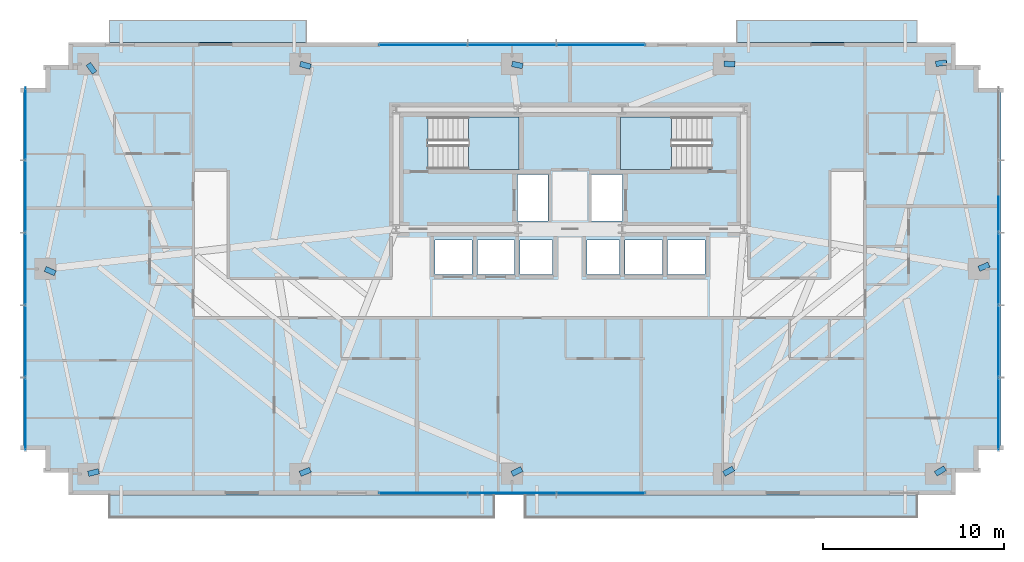
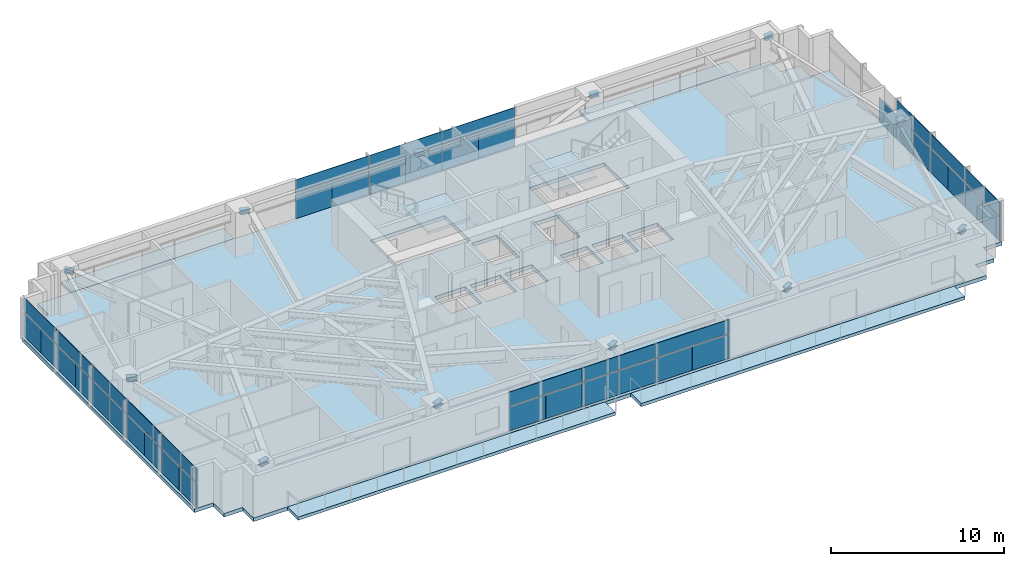
# One storey, part 18 of 25: 43 plates, 12 beams, 7 slabs, 6 elements without a shape of their own.
"""IFC4 building model written with IfcOpenShell, lengths in metres."""

from ifc_helpers import new_model, si_unit, direction, frame, origin, origin_2d, place, context, subcontext, project, spatial, polyline, rectangle, i_section, outline, extrude, source, transform, mapped, material, layer, layer_set, material_profile, profile_set, type_object, type_shapes, element, aggregate, save


model = new_model("IFC4")

# Units and contexts
model_context = context("Model", 3, precision=1e-05, world=origin(), true_north=direction((0.0, 1.0)))
body_context = subcontext(model_context, "Body", "Model", "MODEL_VIEW")
ifc_project = project(units=[si_unit("LENGTHUNIT", "METRE"), si_unit("AREAUNIT", "SQUARE_METRE"), si_unit("VOLUMEUNIT", "CUBIC_METRE"), si_unit("PLANEANGLEUNIT", "RADIAN"), si_unit("MASSUNIT", "GRAM", prefix="KILO")], contexts=[model_context])

# Site, building, storey
site_placement = place(None, origin())
site = spatial("IfcSite", under=ifc_project, at=site_placement, CompositionType="ELEMENT")
building_placement = place(site_placement, origin())
building = spatial("IfcBuilding", under=site, at=building_placement, Name="Astriad Promenade Condominiums", CompositionType="ELEMENT")
storey_placement = place(building_placement, frame((0.0, 0.0, 64.60009765625)))
storey = spatial("IfcBuildingStorey", under=building, at=storey_placement, Name="L18", CompositionType="ELEMENT", Elevation=64.60009765625)

# Beams
ifc_material_1 = material(Name="Steel ASTM A992 Grade 50", Category="steel")
ifc_material_profile = material_profile(ifc_material_1, i_section(OverallWidth=0.3046875, OverallDepth=0.307861328125, WebThickness=0.010009765625, FlangeThickness=0.015380859375, FilletRadius=0.01513671875, at=origin_2d()), Name="W12X65")
ifc_profile_set = profile_set([ifc_material_profile], Name="Steel ASTM A992 Grade 50")
beam_type = type_object("IfcBeamType", Name="STEEL TRANSFER SPLICE HEADER W12X65", PredefinedType="LINTEL", material=ifc_profile_set)
shared_shape_1 = source(origin(), body_context, "Body", "SweptSolid", [
    extrude(i_section(OverallWidth=0.3046875, OverallDepth=0.307861328125, WebThickness=0.010009765625, FlangeThickness=0.015380859375, FilletRadius=0.01513671875, at=origin_2d()), origin(), (0.0, 0.0, 1.0), 0.6015625),
])
for number, where, z_axis, x_axis, name in (
    (1, (9.39990234375, 3.8798828125, 2.74609375), (0.970712710655, 0.24024327956, 0.0), (-0.24024327956, 0.970712710655, 0.0), "Column Transfer Splice Header SPL-PC01-L18"),
    (2, (44.5, 3.8798828125, 2.74609375), (0.868567654377, 0.495570610277, 0.0), (-0.495570610277, 0.868567654377, 0.0), "Column Transfer Splice Header SPL-PC04-L18"),
    (3, (56.199951171875, 3.8798828125, 2.74609375), (0.849771811135, 0.527150708053, 0.0), (-0.527150708053, 0.849771811135, 0.0), "Column Transfer Splice Header SPL-PC05-L18"),
    (4, (9.39990234375, 26.52001953125, 2.74609375), (0.588051038276, -0.808823822833, 0.0), (0.808823822833, 0.588051038276, 0.0), "Column Transfer Splice Header SPL-PC06-L18"),
    (5, (32.800048828125, 26.52001953125, 2.74609375), (0.979696819425, -0.200484767521, 0.0), (0.200484767521, 0.979696819425, 0.0), "Column Transfer Splice Header SPL-PC08-L18"),
    (6, (44.5, 26.52001953125, 2.74609375), (0.999641164632, -0.026786973961, 0.0), (0.026786973961, 0.999641164632, 0.0), "Column Transfer Splice Header SPL-PC09-L18"),
    (7, (56.199951171875, 26.52001953125, 2.74609375), (0.991634328472, 0.129078885163, 0.0), (-0.129078885163, 0.991634328472, 0.0), "Column Transfer Splice Header SPL-PC10-L18"),
    (8, (7.02001953125, 15.199951171875, 2.74609375), (0.915560212272, -0.402180926579, 0.0), (0.402180926579, 0.915560212272, 0.0), "Column Transfer Splice Header SPL-PC11-L18"),
):
    element("IfcBeam", number, at=place(storey_placement, frame(where, z_axis=z_axis, x_axis=x_axis)), inside=storey, type_object=beam_type, Name=name, PredefinedType="LINTEL", context=body_context, shape_type="MappedRepresentation", body=[
        mapped(shared_shape_1, transform((0.0, 0.0, 0.0), scale=1.0)),
    ])
shared_shape_2 = source(origin(), body_context, "Body", "SweptSolid", [
    extrude(i_section(OverallWidth=0.3046875, OverallDepth=0.307861328125, WebThickness=0.010009765625, FlangeThickness=0.015380859375, FilletRadius=0.01513671875, at=origin_2d()), origin(), (0.0, 0.0, 1.0), 0.601318359375),
])
type_shapes(beam_type, [shared_shape_1, shared_shape_2])
for number, where, z_axis, x_axis, name in (
    (9, (21.10009765625, 3.8798828125, 2.74609375), (0.927155075132, 0.37467781714, 0.0), (-0.37467781714, 0.927155075132, 0.0), "Column Transfer Splice Header SPL-PC02-L18"),
    (10, (32.800048828125, 3.8798828125, 2.74609375), (0.893532281029, 0.448998956301, 0.0), (-0.448998956301, 0.893532281029, 0.0), "Column Transfer Splice Header SPL-PC03-L18"),
    (11, (21.10009765625, 26.52001953125, 2.74609375), (0.965100334188, -0.261880401999, 0.0), (0.261880401999, 0.965100334188, 0.0), "Column Transfer Splice Header SPL-PC07-L18"),
    (12, (58.580078125, 15.199951171875, 2.74609375), (0.920754192504, 0.390143200616, 0.0), (-0.390143200616, 0.920754192504, 0.0), "Column Transfer Splice Header SPL-PC12-L18"),
):
    element("IfcBeam", number, at=place(storey_placement, frame(where, z_axis=z_axis, x_axis=x_axis)), inside=storey, type_object=beam_type, Name=name, PredefinedType="LINTEL", context=body_context, shape_type="MappedRepresentation", body=[
        mapped(shared_shape_2, transform((0.0, 0.0, 0.0), scale=1.0)),
    ])

# Slab
ifc_material_2 = material(Name="Concrete C50/60", Category="concrete")
ifc_layer_1 = layer(ifc_material_2, 0.260009765625)
ifc_layer_set_1 = layer_set([ifc_layer_1], Name="Concrete C50/60")
slab_type_1 = type_object("IfcSlabType", Name="CONCRETE TOWER FLOOR SLAB 260", PredefinedType="FLOOR", material=ifc_layer_set_1)
slab_1_placement = place(storey_placement, frame((0.0, 0.0, -0.260009765625)))
element("IfcSlab", 13, at=slab_1_placement, inside=storey, type_object=slab_type_1, Name="Structural Floor Slab (L18)", PredefinedType="FLOOR", context=body_context, shape_type="SweptSolid", body=[
    extrude(outline(polyline([(8.300048828125, 2.699951171875), (57.300048828125, 2.699951171875), (57.300048828125, 3.949951171875), (58.550048828125, 3.949951171875), (58.550048828125, 5.199951171875), (59.800048828125, 5.199951171875), (59.800048828125, 25.199951171875), (58.550048828125, 25.199951171875), (58.550048828125, 26.449951171875), (57.300048828125, 26.449951171875), (57.300048828125, 27.699951171875), (8.300048828125, 27.699951171875), (8.300048828125, 26.449951171875), (7.050048828125, 26.449951171875), (7.050048828125, 25.199951171875), (5.800048828125, 25.199951171875), (5.800048828125, 5.199951171875), (7.050048828125, 5.199951171875), (7.050048828125, 3.949951171875), (8.300048828125, 3.949951171875), (8.300048828125, 2.699951171875)]), holes=[polyline([(28.175048828125, 20.699951171875), (33.175048828125, 20.699951171875), (33.175048828125, 23.60009765625), (28.175048828125, 23.60009765625), (28.175048828125, 20.699951171875)]), polyline([(38.824951171875, 20.699951171875), (43.824951171875, 20.699951171875), (43.824951171875, 23.60009765625), (38.824951171875, 23.60009765625), (38.824951171875, 20.699951171875)]), polyline([(33.10009765625, 17.85009765625), (34.800048828125, 17.85009765625), (34.800048828125, 20.39990234375), (33.10009765625, 20.39990234375), (33.10009765625, 17.85009765625)]), polyline([(37.199951171875, 17.85009765625), (38.89990234375, 17.85009765625), (38.89990234375, 20.39990234375), (37.199951171875, 20.39990234375), (37.199951171875, 17.85009765625)]), polyline([(28.550048828125, 14.89990234375), (30.60009765625, 14.89990234375), (30.60009765625, 16.800048828125), (28.550048828125, 16.800048828125), (28.550048828125, 14.89990234375)]), polyline([(30.89990234375, 14.89990234375), (32.949951171875, 14.89990234375), (32.949951171875, 16.800048828125), (30.89990234375, 16.800048828125), (30.89990234375, 14.89990234375)]), polyline([(33.25, 14.89990234375), (35.050048828125, 14.89990234375), (35.050048828125, 16.800048828125), (33.25, 16.800048828125), (33.25, 14.89990234375)]), polyline([(36.949951171875, 14.89990234375), (38.75, 14.89990234375), (38.75, 16.800048828125), (36.949951171875, 16.800048828125), (36.949951171875, 14.89990234375)]), polyline([(39.050048828125, 14.89990234375), (41.10009765625, 14.89990234375), (41.10009765625, 16.800048828125), (39.050048828125, 16.800048828125), (39.050048828125, 14.89990234375)]), polyline([(41.39990234375, 14.89990234375), (43.449951171875, 14.89990234375), (43.449951171875, 16.800048828125), (41.39990234375, 16.800048828125), (41.39990234375, 14.89990234375)])]), origin(), (0.0, 0.0, 1.0), 0.260009765625),
])

# Stair, slab
stair_type = type_object("IfcStairType", Name="STR-CORE-1350", PredefinedType="HALF_TURN_STAIR", material=ifc_material_2)
stair_1_placement = place(storey_placement, origin())
stair_1 = element("IfcStair", 14, at=stair_1_placement, inside=storey, type_object=stair_type, Name="L18 Enclosed Core Exit Stair ST-1", PredefinedType="HALF_TURN_STAIR")
ifc_layer_2 = layer(ifc_material_2, 0.219970703125)
ifc_layer_set_2 = layer_set([ifc_layer_2], Name="Concrete C50/60")
slab_type_2 = type_object("IfcSlabType", Name="SLB-LANDING-220", PredefinedType="LANDING", material=ifc_layer_set_2)
slab_2_placement = place(storey_placement, frame((0.0, 0.0, 1.39990234375)))
slab_2 = element("IfcSlab", 15, at=slab_2_placement, type_object=slab_type_2, Name="ST-1 landing 1", PredefinedType="LANDING", context=body_context, shape_type="SweptSolid", body=[
    extrude(outline(polyline([(30.389892578125, 20.699951171875), (33.199951171875, 20.699951171875), (33.199951171875, 23.60009765625), (30.389892578125, 23.60009765625), (30.389892578125, 20.699951171875)])), origin(), (0.0, 0.0, 1.0), 0.199951171875),
])
aggregate(stair_1, [slab_2])

stair_2_placement = place(storey_placement, origin())
stair_2 = element("IfcStair", 16, at=stair_2_placement, inside=storey, type_object=stair_type, Name="L18 Enclosed Core Exit Stair ST-2", PredefinedType="HALF_TURN_STAIR")
slab_3_placement = place(storey_placement, frame((0.0, 0.0, 1.39990234375)))
slab_3 = element("IfcSlab", 17, at=slab_3_placement, type_object=slab_type_2, Name="ST-2 landing 1", PredefinedType="LANDING", context=body_context, shape_type="SweptSolid", body=[
    extrude(outline(polyline([(41.610107421875, 23.60009765625), (38.800048828125, 23.60009765625), (38.800048828125, 20.699951171875), (41.610107421875, 20.699951171875), (41.610107421875, 23.60009765625)])), origin(), (0.0, 0.0, 1.0), 0.199951171875),
])
aggregate(stair_2, [slab_3])

# Slabs
ifc_material_3 = material(Name="Precast concrete C50/60", Category="concrete")
ifc_layer_3 = layer(ifc_material_3, 0.219970703125)
ifc_layer_set_3 = layer_set([ifc_layer_3], Name="Precast concrete C50/60")
slab_type_3 = type_object("IfcSlabType", Name="WHITE PRECAST CONCRETE WAVE BALCONY SLAB 220", PredefinedType="FLOOR", material=ifc_layer_set_3)
slab_4_placement = place(storey_placement, frame((0.0, 0.0, -0.22021484375)))
element("IfcSlab", 18, at=slab_4_placement, inside=storey, type_object=slab_type_3, Name="White Precast Wave Balcony Slab BAL-L18-SW", PredefinedType="FLOOR", context=body_context, shape_type="SweptSolid", body=[
    extrude(outline(polyline([(31.805908203125, 1.47998046875), (10.572998046875, 1.47998046875), (10.572998046875, 2.697998046875), (31.805908203125, 2.697998046875), (31.805908203125, 1.47998046875)])), origin(), (0.0, 0.0, 1.0), 0.22021484375),
])
slab_5_placement = place(storey_placement, frame((0.0, 0.0, -0.22021484375)))
element("IfcSlab", 19, at=slab_5_placement, inside=storey, type_object=slab_type_3, Name="White Precast Wave Balcony Slab BAL-L18-SE", PredefinedType="FLOOR", context=body_context, shape_type="SweptSolid", body=[
    extrude(outline(polyline([(55.1640625, 1.47998046875), (33.52197265625, 1.47998046875), (33.52197265625, 2.697998046875), (55.1640625, 2.697998046875), (55.1640625, 1.47998046875)])), origin(), (0.0, 0.0, 1.0), 0.22021484375),
])
slab_6_placement = place(storey_placement, frame((0.0, 0.0, -0.22021484375)))
element("IfcSlab", 20, at=slab_6_placement, inside=storey, type_object=slab_type_3, Name="White Precast Wave Balcony Slab BAL-L18-NW", PredefinedType="FLOOR", context=body_context, shape_type="SweptSolid", body=[
    extrude(outline(polyline([(10.572998046875, 28.919921875), (21.429931640625, 28.919921875), (21.429931640625, 27.701904296875), (10.572998046875, 27.701904296875), (10.572998046875, 28.919921875)])), origin(), (0.0, 0.0, 1.0), 0.22021484375),
])
slab_7_placement = place(storey_placement, frame((0.0, 0.0, -0.22021484375)))
element("IfcSlab", 21, at=slab_7_placement, inside=storey, type_object=slab_type_3, Name="White Precast Wave Balcony Slab BAL-L18-NE", PredefinedType="FLOOR", context=body_context, shape_type="SweptSolid", body=[
    extrude(outline(polyline([(45.2099609375, 28.919921875), (55.1640625, 28.919921875), (55.1640625, 27.701904296875), (45.2099609375, 27.701904296875), (45.2099609375, 28.919921875)])), origin(), (0.0, 0.0, 1.0), 0.22021484375),
])

# Curtain wall, plates
ifc_material_4 = material(Name="Anodised aluminium Black Dark Glass Unitised", Category="aluminium")
curtain_wall_type = type_object("IfcCurtainWallType", Name="CW-B1-DARK", PredefinedType="USERDEFINED", material=ifc_material_4)
curtain_wall_1_placement = place(storey_placement, origin())
curtain_wall_1 = element("IfcCurtainWall", 22, at=curtain_wall_1_placement, inside=storey, type_object=curtain_wall_type, Name="CW-L18-W", ObjectType="UNITISED_CURTAIN_WALL", PredefinedType="USERDEFINED")
ifc_material_5 = material(Name="Dark Tinted Low-E Laminated Glass", Category="glass")
ifc_layer_4 = layer(ifc_material_5, 0.035888671875)
ifc_layer_set_4 = layer_set([ifc_layer_4], Name="Dark Tinted Low-E Laminated Glass")
plate_type = type_object("IfcPlateType", Name="PNL-DARK-GLASS-36", PredefinedType="CURTAIN_PANEL", material=ifc_layer_set_4)
shared_shape_3 = source(origin(), body_context, "Body", "SweptSolid", [
    extrude(rectangle(XDim=1.988037109375, YDim=0.035888671875, at=origin_2d()), origin(), (0.0, 0.0, 1.0), 1.677978515625),
])
plate_1_placement = place(storey_placement, frame((5.929931640625, 6.199951171875, 0.080078125), z_axis=(0.0, 0.0, 1.0), x_axis=(0.0, 1.0, 0.0)))
plate_1 = element("IfcPlate", 23, at=plate_1_placement, type_object=plate_type, Name="CW-L18-W-PNL-00-VL", PredefinedType="CURTAIN_PANEL", context=body_context, shape_type="MappedRepresentation", body=[
    mapped(shared_shape_3, transform((0.0, 0.0, 0.0), scale=1.0)),
])
plate_2_placement = place(storey_placement, frame((5.929931640625, 8.199951171875, 0.080078125), z_axis=(0.0, 0.0, 1.0), x_axis=(0.0, 1.0, 0.0)))
plate_2 = element("IfcPlate", 24, at=plate_2_placement, type_object=plate_type, Name="CW-L18-W-PNL-00-VR", PredefinedType="CURTAIN_PANEL", context=body_context, shape_type="MappedRepresentation", body=[
    mapped(shared_shape_3, transform((0.0, 0.0, 0.0), scale=1.0)),
])
plate_3_placement = place(storey_placement, frame((5.929931640625, 10.199951171875, 0.080078125), z_axis=(0.0, 0.0, 1.0), x_axis=(0.0, 1.0, 0.0)))
plate_3 = element("IfcPlate", 25, at=plate_3_placement, type_object=plate_type, Name="CW-L18-W-PNL-01-VL", PredefinedType="CURTAIN_PANEL", context=body_context, shape_type="MappedRepresentation", body=[
    mapped(shared_shape_3, transform((0.0, 0.0, 0.0), scale=1.0)),
])
plate_4_placement = place(storey_placement, frame((5.929931640625, 12.199951171875, 0.080078125), z_axis=(0.0, 0.0, 1.0), x_axis=(0.0, 1.0, 0.0)))
plate_4 = element("IfcPlate", 26, at=plate_4_placement, type_object=plate_type, Name="CW-L18-W-PNL-01-VR", PredefinedType="CURTAIN_PANEL", context=body_context, shape_type="MappedRepresentation", body=[
    mapped(shared_shape_3, transform((0.0, 0.0, 0.0), scale=1.0)),
])
plate_5_placement = place(storey_placement, frame((5.929931640625, 14.199951171875, 0.080078125), z_axis=(0.0, 0.0, 1.0), x_axis=(0.0, 1.0, 0.0)))
plate_5 = element("IfcPlate", 27, at=plate_5_placement, type_object=plate_type, Name="CW-L18-W-PNL-02-VL", PredefinedType="CURTAIN_PANEL", context=body_context, shape_type="MappedRepresentation", body=[
    mapped(shared_shape_3, transform((0.0, 0.0, 0.0), scale=1.0)),
])
plate_6_placement = place(storey_placement, frame((5.929931640625, 16.199951171875, 0.080078125), z_axis=(0.0, 0.0, 1.0), x_axis=(0.0, 1.0, 0.0)))
plate_6 = element("IfcPlate", 28, at=plate_6_placement, type_object=plate_type, Name="CW-L18-W-PNL-02-VR", PredefinedType="CURTAIN_PANEL", context=body_context, shape_type="MappedRepresentation", body=[
    mapped(shared_shape_3, transform((0.0, 0.0, 0.0), scale=1.0)),
])
plate_7_placement = place(storey_placement, frame((5.929931640625, 18.199951171875, 0.080078125), z_axis=(0.0, 0.0, 1.0), x_axis=(0.0, 1.0, 0.0)))
plate_7 = element("IfcPlate", 29, at=plate_7_placement, type_object=plate_type, Name="CW-L18-W-PNL-03-VL", PredefinedType="CURTAIN_PANEL", context=body_context, shape_type="MappedRepresentation", body=[
    mapped(shared_shape_3, transform((0.0, 0.0, 0.0), scale=1.0)),
])
plate_8_placement = place(storey_placement, frame((5.929931640625, 20.199951171875, 0.080078125), z_axis=(0.0, 0.0, 1.0), x_axis=(0.0, 1.0, 0.0)))
plate_8 = element("IfcPlate", 30, at=plate_8_placement, type_object=plate_type, Name="CW-L18-W-PNL-03-VR", PredefinedType="CURTAIN_PANEL", context=body_context, shape_type="MappedRepresentation", body=[
    mapped(shared_shape_3, transform((0.0, 0.0, 0.0), scale=1.0)),
])
plate_9_placement = place(storey_placement, frame((5.929931640625, 22.199951171875, 0.080078125), z_axis=(0.0, 0.0, 1.0), x_axis=(0.0, 1.0, 0.0)))
plate_9 = element("IfcPlate", 31, at=plate_9_placement, type_object=plate_type, Name="CW-L18-W-PNL-04-VL", PredefinedType="CURTAIN_PANEL", context=body_context, shape_type="MappedRepresentation", body=[
    mapped(shared_shape_3, transform((0.0, 0.0, 0.0), scale=1.0)),
])
plate_10_placement = place(storey_placement, frame((5.929931640625, 24.199951171875, 0.080078125), z_axis=(0.0, 0.0, 1.0), x_axis=(0.0, 1.0, 0.0)))
plate_10 = element("IfcPlate", 32, at=plate_10_placement, type_object=plate_type, Name="CW-L18-W-PNL-04-VR", PredefinedType="CURTAIN_PANEL", context=body_context, shape_type="MappedRepresentation", body=[
    mapped(shared_shape_3, transform((0.0, 0.0, 0.0), scale=1.0)),
])

curtain_wall_2_placement = place(storey_placement, origin())
curtain_wall_2 = element("IfcCurtainWall", 33, at=curtain_wall_2_placement, inside=storey, type_object=curtain_wall_type, Name="CW-L18-E", ObjectType="UNITISED_CURTAIN_WALL", PredefinedType="USERDEFINED")
plate_11_placement = place(storey_placement, frame((59.669921875, 18.199951171875, 0.080078125), z_axis=(0.0, 0.0, 1.0), x_axis=(0.0, -1.0, 0.0)))
plate_11 = element("IfcPlate", 34, at=plate_11_placement, type_object=plate_type, Name="CW-L18-E-PNL-01-VR", PredefinedType="CURTAIN_PANEL", context=body_context, shape_type="MappedRepresentation", body=[
    mapped(shared_shape_3, transform((0.0, 0.0, 0.0), scale=1.0)),
])
plate_12_placement = place(storey_placement, frame((59.669921875, 16.199951171875, 0.080078125), z_axis=(0.0, 0.0, 1.0), x_axis=(0.0, -1.0, 0.0)))
plate_12 = element("IfcPlate", 35, at=plate_12_placement, type_object=plate_type, Name="CW-L18-E-PNL-02-VL", PredefinedType="CURTAIN_PANEL", context=body_context, shape_type="MappedRepresentation", body=[
    mapped(shared_shape_3, transform((0.0, 0.0, 0.0), scale=1.0)),
])
plate_13_placement = place(storey_placement, frame((59.669921875, 14.199951171875, 0.080078125), z_axis=(0.0, 0.0, 1.0), x_axis=(0.0, -1.0, 0.0)))
plate_13 = element("IfcPlate", 36, at=plate_13_placement, type_object=plate_type, Name="CW-L18-E-PNL-02-VR", PredefinedType="CURTAIN_PANEL", context=body_context, shape_type="MappedRepresentation", body=[
    mapped(shared_shape_3, transform((0.0, 0.0, 0.0), scale=1.0)),
])
plate_14_placement = place(storey_placement, frame((59.669921875, 12.199951171875, 0.080078125), z_axis=(0.0, 0.0, 1.0), x_axis=(0.0, -1.0, 0.0)))
plate_14 = element("IfcPlate", 37, at=plate_14_placement, type_object=plate_type, Name="CW-L18-E-PNL-03-VL", PredefinedType="CURTAIN_PANEL", context=body_context, shape_type="MappedRepresentation", body=[
    mapped(shared_shape_3, transform((0.0, 0.0, 0.0), scale=1.0)),
])
plate_15_placement = place(storey_placement, frame((59.669921875, 10.199951171875, 0.080078125), z_axis=(0.0, 0.0, 1.0), x_axis=(0.0, -1.0, 0.0)))
plate_15 = element("IfcPlate", 38, at=plate_15_placement, type_object=plate_type, Name="CW-L18-E-PNL-03-VR", PredefinedType="CURTAIN_PANEL", context=body_context, shape_type="MappedRepresentation", body=[
    mapped(shared_shape_3, transform((0.0, 0.0, 0.0), scale=1.0)),
])
plate_16_placement = place(storey_placement, frame((59.669921875, 8.199951171875, 0.080078125), z_axis=(0.0, 0.0, 1.0), x_axis=(0.0, -1.0, 0.0)))
plate_16 = element("IfcPlate", 39, at=plate_16_placement, type_object=plate_type, Name="CW-L18-E-PNL-04-VL", PredefinedType="CURTAIN_PANEL", context=body_context, shape_type="MappedRepresentation", body=[
    mapped(shared_shape_3, transform((0.0, 0.0, 0.0), scale=1.0)),
])
plate_17_placement = place(storey_placement, frame((59.669921875, 6.199951171875, 0.080078125), z_axis=(0.0, 0.0, 1.0), x_axis=(0.0, -1.0, 0.0)))
plate_17 = element("IfcPlate", 40, at=plate_17_placement, type_object=plate_type, Name="CW-L18-E-PNL-04-VR", PredefinedType="CURTAIN_PANEL", context=body_context, shape_type="MappedRepresentation", body=[
    mapped(shared_shape_3, transform((0.0, 0.0, 0.0), scale=1.0)),
])

# Plate
shared_shape_4 = source(origin(), body_context, "Body", "SweptSolid", [
    extrude(rectangle(XDim=3.988037109375, YDim=0.035888671875, at=origin_2d()), origin(), (0.0, 0.0, 1.0), 0.98193359375),
])
plate_18_placement = place(storey_placement, frame((5.929931640625, 7.199951171875, 1.837890625), z_axis=(0.0, 0.0, 1.0), x_axis=(0.0, 1.0, 0.0)))
plate_18 = element("IfcPlate", 41, at=plate_18_placement, type_object=plate_type, Name="CW-L18-W-PNL-00-S", PredefinedType="CURTAIN_PANEL", context=body_context, shape_type="MappedRepresentation", body=[
    mapped(shared_shape_4, transform((0.0, 0.0, 0.0), scale=1.0)),
])

plate_19_placement = place(storey_placement, frame((5.929931640625, 11.199951171875, 1.837890625), z_axis=(0.0, 0.0, 1.0), x_axis=(0.0, 1.0, 0.0)))
plate_19 = element("IfcPlate", 42, at=plate_19_placement, type_object=plate_type, Name="CW-L18-W-PNL-01-S", PredefinedType="CURTAIN_PANEL", context=body_context, shape_type="MappedRepresentation", body=[
    mapped(shared_shape_4, transform((0.0, 0.0, 0.0), scale=1.0)),
])

plate_20_placement = place(storey_placement, frame((5.929931640625, 15.199951171875, 1.837890625), z_axis=(0.0, 0.0, 1.0), x_axis=(0.0, 1.0, 0.0)))
plate_20 = element("IfcPlate", 43, at=plate_20_placement, type_object=plate_type, Name="CW-L18-W-PNL-02-S", PredefinedType="CURTAIN_PANEL", context=body_context, shape_type="MappedRepresentation", body=[
    mapped(shared_shape_4, transform((0.0, 0.0, 0.0), scale=1.0)),
])

plate_21_placement = place(storey_placement, frame((5.929931640625, 19.199951171875, 1.837890625), z_axis=(0.0, 0.0, 1.0), x_axis=(0.0, 1.0, 0.0)))
plate_21 = element("IfcPlate", 44, at=plate_21_placement, type_object=plate_type, Name="CW-L18-W-PNL-03-S", PredefinedType="CURTAIN_PANEL", context=body_context, shape_type="MappedRepresentation", body=[
    mapped(shared_shape_4, transform((0.0, 0.0, 0.0), scale=1.0)),
])

plate_22_placement = place(storey_placement, frame((5.929931640625, 23.199951171875, 1.837890625), z_axis=(0.0, 0.0, 1.0), x_axis=(0.0, 1.0, 0.0)))
plate_22 = element("IfcPlate", 45, at=plate_22_placement, type_object=plate_type, Name="CW-L18-W-PNL-04-S", PredefinedType="CURTAIN_PANEL", context=body_context, shape_type="MappedRepresentation", body=[
    mapped(shared_shape_4, transform((0.0, 0.0, 0.0), scale=1.0)),
])

aggregate(curtain_wall_1, [plate_1, plate_2, plate_18, plate_3, plate_4, plate_19, plate_5, plate_6, plate_20, plate_7, plate_8, plate_21, plate_9, plate_10, plate_22])

plate_23_placement = place(storey_placement, frame((59.669921875, 15.199951171875, 1.837890625), z_axis=(0.0, 0.0, 1.0), x_axis=(0.0, -1.0, 0.0)))
plate_23 = element("IfcPlate", 46, at=plate_23_placement, type_object=plate_type, Name="CW-L18-E-PNL-02-S", PredefinedType="CURTAIN_PANEL", context=body_context, shape_type="MappedRepresentation", body=[
    mapped(shared_shape_4, transform((0.0, 0.0, 0.0), scale=1.0)),
])

plate_24_placement = place(storey_placement, frame((59.669921875, 11.199951171875, 1.837890625), z_axis=(0.0, 0.0, 1.0), x_axis=(0.0, -1.0, 0.0)))
plate_24 = element("IfcPlate", 47, at=plate_24_placement, type_object=plate_type, Name="CW-L18-E-PNL-03-S", PredefinedType="CURTAIN_PANEL", context=body_context, shape_type="MappedRepresentation", body=[
    mapped(shared_shape_4, transform((0.0, 0.0, 0.0), scale=1.0)),
])

plate_25_placement = place(storey_placement, frame((59.669921875, 7.199951171875, 1.837890625), z_axis=(0.0, 0.0, 1.0), x_axis=(0.0, -1.0, 0.0)))
plate_25 = element("IfcPlate", 48, at=plate_25_placement, type_object=plate_type, Name="CW-L18-E-PNL-04-S", PredefinedType="CURTAIN_PANEL", context=body_context, shape_type="MappedRepresentation", body=[
    mapped(shared_shape_4, transform((0.0, 0.0, 0.0), scale=1.0)),
])

aggregate(curtain_wall_2, [plate_11, plate_12, plate_13, plate_23, plate_14, plate_15, plate_24, plate_16, plate_17, plate_25])

# Curtain wall, plates
curtain_wall_3_placement = place(storey_placement, origin())
curtain_wall_3 = element("IfcCurtainWall", 49, at=curtain_wall_3_placement, inside=storey, type_object=curtain_wall_type, Name="CW-L18-N", ObjectType="UNITISED_CURTAIN_WALL", PredefinedType="USERDEFINED")
shared_shape_5 = source(origin(), body_context, "Body", "SweptSolid", [
    extrude(rectangle(XDim=2.43798828125, YDim=0.035888671875, at=origin_2d()), origin(), (0.0, 0.0, 1.0), 1.677978515625),
])
plate_26_placement = place(storey_placement, frame((26.675048828125, 27.570068359375, 0.080078125), z_axis=(0.0, 0.0, 1.0), x_axis=(1.0, 0.0, 0.0)))
plate_26 = element("IfcPlate", 50, at=plate_26_placement, type_object=plate_type, Name="CW-L18-N-PNL-00-VL", PredefinedType="CURTAIN_PANEL", context=body_context, shape_type="MappedRepresentation", body=[
    mapped(shared_shape_5, transform((0.0, 0.0, 0.0), scale=1.0)),
])
plate_27_placement = place(storey_placement, frame((29.125, 27.570068359375, 0.080078125), z_axis=(0.0, 0.0, 1.0), x_axis=(1.0, 0.0, 0.0)))
plate_27 = element("IfcPlate", 51, at=plate_27_placement, type_object=plate_type, Name="CW-L18-N-PNL-00-VR", PredefinedType="CURTAIN_PANEL", context=body_context, shape_type="MappedRepresentation", body=[
    mapped(shared_shape_5, transform((0.0, 0.0, 0.0), scale=1.0)),
])
plate_28_placement = place(storey_placement, frame((31.574951171875, 27.570068359375, 0.080078125), z_axis=(0.0, 0.0, 1.0), x_axis=(1.0, 0.0, 0.0)))
plate_28 = element("IfcPlate", 52, at=plate_28_placement, type_object=plate_type, Name="CW-L18-N-PNL-01-VL", PredefinedType="CURTAIN_PANEL", context=body_context, shape_type="MappedRepresentation", body=[
    mapped(shared_shape_5, transform((0.0, 0.0, 0.0), scale=1.0)),
])
plate_29_placement = place(storey_placement, frame((34.02490234375, 27.570068359375, 0.080078125), z_axis=(0.0, 0.0, 1.0), x_axis=(1.0, 0.0, 0.0)))
plate_29 = element("IfcPlate", 53, at=plate_29_placement, type_object=plate_type, Name="CW-L18-N-PNL-01-VR", PredefinedType="CURTAIN_PANEL", context=body_context, shape_type="MappedRepresentation", body=[
    mapped(shared_shape_5, transform((0.0, 0.0, 0.0), scale=1.0)),
])
plate_30_placement = place(storey_placement, frame((36.47509765625, 27.570068359375, 0.080078125), z_axis=(0.0, 0.0, 1.0), x_axis=(1.0, 0.0, 0.0)))
plate_30 = element("IfcPlate", 54, at=plate_30_placement, type_object=plate_type, Name="CW-L18-N-PNL-02-VL", PredefinedType="CURTAIN_PANEL", context=body_context, shape_type="MappedRepresentation", body=[
    mapped(shared_shape_5, transform((0.0, 0.0, 0.0), scale=1.0)),
])
plate_31_placement = place(storey_placement, frame((38.925048828125, 27.570068359375, 0.080078125), z_axis=(0.0, 0.0, 1.0), x_axis=(1.0, 0.0, 0.0)))
plate_31 = element("IfcPlate", 55, at=plate_31_placement, type_object=plate_type, Name="CW-L18-N-PNL-02-VR", PredefinedType="CURTAIN_PANEL", context=body_context, shape_type="MappedRepresentation", body=[
    mapped(shared_shape_5, transform((0.0, 0.0, 0.0), scale=1.0)),
])

curtain_wall_4_placement = place(storey_placement, origin())
curtain_wall_4 = element("IfcCurtainWall", 56, at=curtain_wall_4_placement, inside=storey, type_object=curtain_wall_type, Name="CW-L18-S", ObjectType="UNITISED_CURTAIN_WALL", PredefinedType="USERDEFINED")
plate_32_placement = place(storey_placement, frame((38.925048828125, 2.830078125, 0.080078125), z_axis=(0.0, 0.0, 1.0), x_axis=(-1.0, 0.0, 0.0)))
plate_32 = element("IfcPlate", 57, at=plate_32_placement, type_object=plate_type, Name="CW-L18-S-PNL-00-VL", PredefinedType="CURTAIN_PANEL", context=body_context, shape_type="MappedRepresentation", body=[
    mapped(shared_shape_5, transform((0.0, 0.0, 0.0), scale=1.0)),
])
plate_33_placement = place(storey_placement, frame((36.47509765625, 2.830078125, 0.080078125), z_axis=(0.0, 0.0, 1.0), x_axis=(-1.0, 0.0, 0.0)))
plate_33 = element("IfcPlate", 58, at=plate_33_placement, type_object=plate_type, Name="CW-L18-S-PNL-00-VR", PredefinedType="CURTAIN_PANEL", context=body_context, shape_type="MappedRepresentation", body=[
    mapped(shared_shape_5, transform((0.0, 0.0, 0.0), scale=1.0)),
])
plate_34_placement = place(storey_placement, frame((34.02490234375, 2.830078125, 0.080078125), z_axis=(0.0, 0.0, 1.0), x_axis=(-1.0, 0.0, 0.0)))
plate_34 = element("IfcPlate", 59, at=plate_34_placement, type_object=plate_type, Name="CW-L18-S-PNL-01-VL", PredefinedType="CURTAIN_PANEL", context=body_context, shape_type="MappedRepresentation", body=[
    mapped(shared_shape_5, transform((0.0, 0.0, 0.0), scale=1.0)),
])
plate_35_placement = place(storey_placement, frame((31.574951171875, 2.830078125, 0.080078125), z_axis=(0.0, 0.0, 1.0), x_axis=(-1.0, 0.0, 0.0)))
plate_35 = element("IfcPlate", 60, at=plate_35_placement, type_object=plate_type, Name="CW-L18-S-PNL-01-VR", PredefinedType="CURTAIN_PANEL", context=body_context, shape_type="MappedRepresentation", body=[
    mapped(shared_shape_5, transform((0.0, 0.0, 0.0), scale=1.0)),
])
plate_36_placement = place(storey_placement, frame((29.125, 2.830078125, 0.080078125), z_axis=(0.0, 0.0, 1.0), x_axis=(-1.0, 0.0, 0.0)))
plate_36 = element("IfcPlate", 61, at=plate_36_placement, type_object=plate_type, Name="CW-L18-S-PNL-02-VL", PredefinedType="CURTAIN_PANEL", context=body_context, shape_type="MappedRepresentation", body=[
    mapped(shared_shape_5, transform((0.0, 0.0, 0.0), scale=1.0)),
])
plate_37_placement = place(storey_placement, frame((26.675048828125, 2.830078125, 0.080078125), z_axis=(0.0, 0.0, 1.0), x_axis=(-1.0, 0.0, 0.0)))
plate_37 = element("IfcPlate", 62, at=plate_37_placement, type_object=plate_type, Name="CW-L18-S-PNL-02-VR", PredefinedType="CURTAIN_PANEL", context=body_context, shape_type="MappedRepresentation", body=[
    mapped(shared_shape_5, transform((0.0, 0.0, 0.0), scale=1.0)),
])

# Plate
shared_shape_6 = source(origin(), body_context, "Body", "SweptSolid", [
    extrude(rectangle(XDim=4.887939453125, YDim=0.035888671875, at=origin_2d()), origin(), (0.0, 0.0, 1.0), 0.98193359375),
])
type_shapes(plate_type, [shared_shape_3, shared_shape_4, shared_shape_5, shared_shape_6])
plate_38_placement = place(storey_placement, frame((27.89990234375, 27.570068359375, 1.837890625), z_axis=(0.0, 0.0, 1.0), x_axis=(1.0, 0.0, 0.0)))
plate_38 = element("IfcPlate", 63, at=plate_38_placement, type_object=plate_type, Name="CW-L18-N-PNL-00-S", PredefinedType="CURTAIN_PANEL", context=body_context, shape_type="MappedRepresentation", body=[
    mapped(shared_shape_6, transform((0.0, 0.0, 0.0), scale=1.0)),
])

plate_39_placement = place(storey_placement, frame((32.800048828125, 27.570068359375, 1.837890625), z_axis=(0.0, 0.0, 1.0), x_axis=(1.0, 0.0, 0.0)))
plate_39 = element("IfcPlate", 64, at=plate_39_placement, type_object=plate_type, Name="CW-L18-N-PNL-01-S", PredefinedType="CURTAIN_PANEL", context=body_context, shape_type="MappedRepresentation", body=[
    mapped(shared_shape_6, transform((0.0, 0.0, 0.0), scale=1.0)),
])

plate_40_placement = place(storey_placement, frame((37.699951171875, 27.570068359375, 1.837890625), z_axis=(0.0, 0.0, 1.0), x_axis=(1.0, 0.0, 0.0)))
plate_40 = element("IfcPlate", 65, at=plate_40_placement, type_object=plate_type, Name="CW-L18-N-PNL-02-S", PredefinedType="CURTAIN_PANEL", context=body_context, shape_type="MappedRepresentation", body=[
    mapped(shared_shape_6, transform((0.0, 0.0, 0.0), scale=1.0)),
])

aggregate(curtain_wall_3, [plate_26, plate_27, plate_38, plate_28, plate_29, plate_39, plate_30, plate_31, plate_40])

plate_41_placement = place(storey_placement, frame((37.699951171875, 2.830078125, 1.837890625), z_axis=(0.0, 0.0, 1.0), x_axis=(-1.0, 0.0, 0.0)))
plate_41 = element("IfcPlate", 66, at=plate_41_placement, type_object=plate_type, Name="CW-L18-S-PNL-00-S", PredefinedType="CURTAIN_PANEL", context=body_context, shape_type="MappedRepresentation", body=[
    mapped(shared_shape_6, transform((0.0, 0.0, 0.0), scale=1.0)),
])

plate_42_placement = place(storey_placement, frame((32.800048828125, 2.830078125, 1.837890625), z_axis=(0.0, 0.0, 1.0), x_axis=(-1.0, 0.0, 0.0)))
plate_42 = element("IfcPlate", 67, at=plate_42_placement, type_object=plate_type, Name="CW-L18-S-PNL-01-S", PredefinedType="CURTAIN_PANEL", context=body_context, shape_type="MappedRepresentation", body=[
    mapped(shared_shape_6, transform((0.0, 0.0, 0.0), scale=1.0)),
])

plate_43_placement = place(storey_placement, frame((27.89990234375, 2.830078125, 1.837890625), z_axis=(0.0, 0.0, 1.0), x_axis=(-1.0, 0.0, 0.0)))
plate_43 = element("IfcPlate", 68, at=plate_43_placement, type_object=plate_type, Name="CW-L18-S-PNL-02-S", PredefinedType="CURTAIN_PANEL", context=body_context, shape_type="MappedRepresentation", body=[
    mapped(shared_shape_6, transform((0.0, 0.0, 0.0), scale=1.0)),
])

aggregate(curtain_wall_4, [plate_32, plate_33, plate_41, plate_34, plate_35, plate_42, plate_36, plate_37, plate_43])

save(model, "model.ifc")
